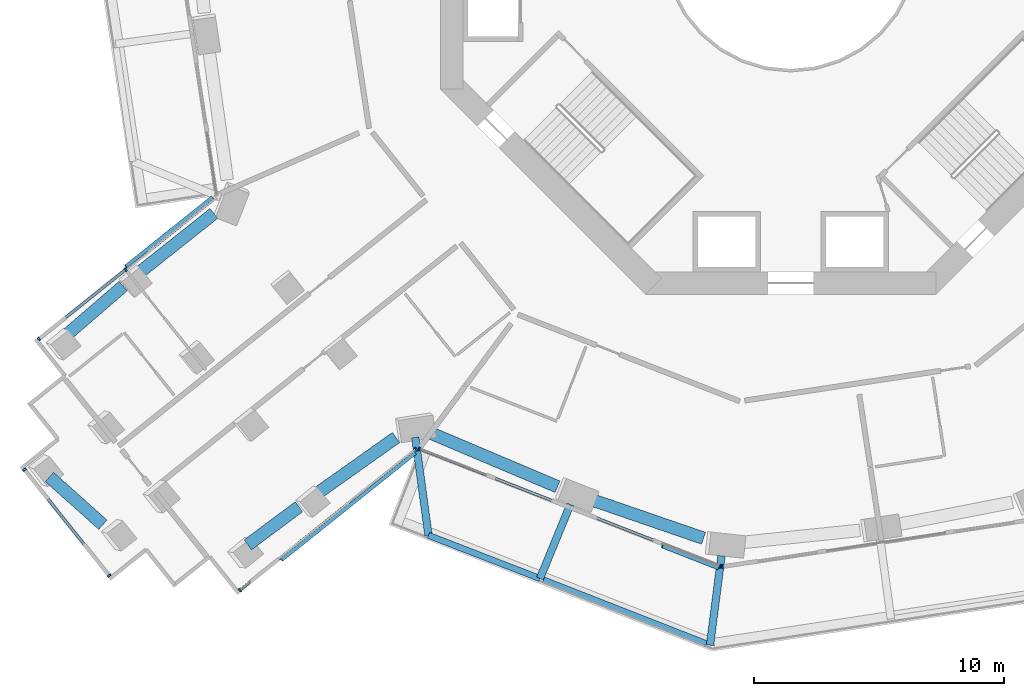
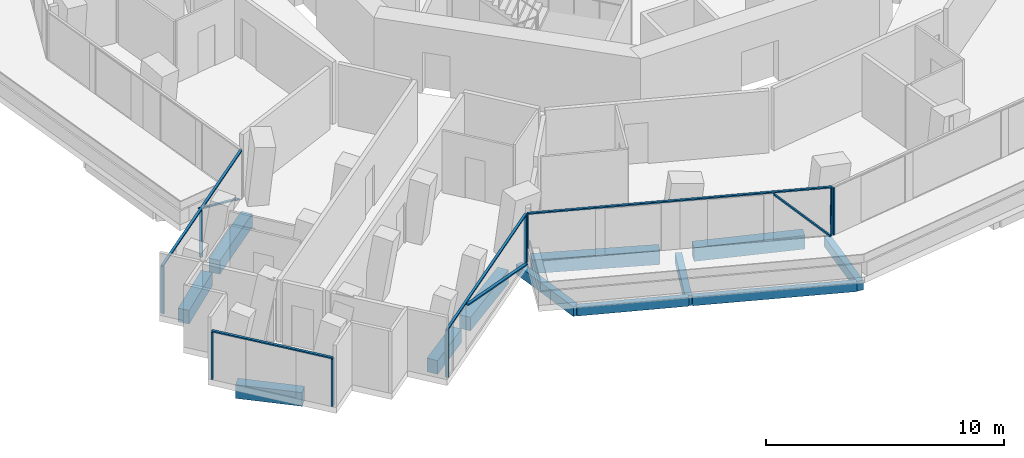
# One storey, part 2 of 28: 16 members, 12 beams, 5 elements without a shape of their own.
"""IFC4 building model written with IfcOpenShell, lengths in metres."""

import ifcopenshell
import ifcopenshell.guid

model = None  # the IFC model being written
_history = None  # IfcOwnerHistory: only IFC2X3 demands one
_inside = {}  # id of a spatial element -> (the spatial element, [elements in it])
_under = {}  # id of a project, library or spatial element -> (it, [spatial elements below it])
_declared = {}  # id of a project -> (the project, [libraries it declares])
_typed = {}  # id of a type object -> (the type object, [elements of that type])
_made_of = {}  # id of a material, layer set ... -> (it, [elements and type objects made of it])


def new_model(schema):
    """Start an empty IFC model of exactly this schema.

    Asked for "IFC4X3", IfcOpenShell would pick the latest addendum, in which some entities
    have other attributes; the version numbers below select the first issue.
    IFC2X3 requires an IfcOwnerHistory on every rooted entity: one is made here for all.
    """
    global model, _history
    if schema == "IFC4X3":
        model = ifcopenshell.file(schema_version=(4, 3, 0, 0))
    else:
        model = ifcopenshell.file(schema=schema)
    _inside.clear()
    _under.clear()
    _declared.clear()
    _typed.clear()
    _made_of.clear()
    _history = None
    if model.schema == "IFC2X3":
        org = make("IfcOrganization", Name="unknown")
        user = make(
            "IfcPersonAndOrganization",
            ThePerson=make("IfcPerson", FamilyName="unknown"),
            TheOrganization=org,
        )
        app = make(
            "IfcApplication",
            ApplicationDeveloper=org,
            Version="unknown",
            ApplicationFullName="unknown",
            ApplicationIdentifier="unknown",
        )
        _history = make(
            "IfcOwnerHistory",
            OwningUser=user,
            OwningApplication=app,
            ChangeAction="ADDED",
            CreationDate=0,
        )
    return model


def make(cls, **values):
    """One entity of the class cls with the attributes given. An attribute that is None is left unset."""
    return model.create_entity(
        cls, **{name: value for name, value in values.items() if value is not None}
    )


def rooted(cls, **values):
    """An entity with a GlobalId (a new one), such as an element, a storey or a relation."""
    return make(cls, GlobalId=ifcopenshell.guid.new(), OwnerHistory=_history, **values)


def si_unit(unit_type, name, prefix=None):
    """IfcSIUnit, for example si_unit("LENGTHUNIT", "METRE", prefix="MILLI")."""
    return make("IfcSIUnit", UnitType=unit_type, Prefix=prefix, Name=name)


def assignment(units):
    """IfcUnitAssignment: the units of a project."""
    return None if units is None else make("IfcUnitAssignment", Units=units)


def point(xyz):
    """IfcCartesianPoint."""
    return None if xyz is None else make("IfcCartesianPoint", Coordinates=xyz)


def direction(xyz):
    """IfcDirection."""
    return None if xyz is None else make("IfcDirection", DirectionRatios=xyz)


def frame(location, z_axis=None, x_axis=None):
    """IfcAxis2Placement3D, a coordinate frame: its origin and axes. An axis left out is left unset."""
    return make(
        "IfcAxis2Placement3D",
        Location=point(location),
        Axis=direction(z_axis),
        RefDirection=direction(x_axis),
    )


def frame_2d(location, x_axis=None):
    """IfcAxis2Placement2D, a coordinate frame in the plane: its origin and x axis."""
    return make(
        "IfcAxis2Placement2D", Location=point(location), RefDirection=direction(x_axis)
    )


def origin():
    """The frame at (0, 0, 0) with its axes left unset."""
    return frame((0.0, 0.0, 0.0))


def origin_2d():
    """The frame at (0, 0) in the plane with its x axis left unset."""
    return frame_2d((0.0, 0.0))


def place(relative_to, where):
    """IfcLocalPlacement: puts the frame where relative to a parent placement (None: the world)."""
    return make(
        "IfcLocalPlacement", PlacementRelTo=relative_to, RelativePlacement=where
    )


def context(
    kind, dimensions, precision=None, world=None, true_north=None, identifier=None
):
    """IfcGeometricRepresentationContext, for example the 3D "Model" context."""
    return make(
        "IfcGeometricRepresentationContext",
        ContextIdentifier=identifier,
        ContextType=kind,
        CoordinateSpaceDimension=dimensions,
        Precision=precision,
        WorldCoordinateSystem=world,
        TrueNorth=true_north,
    )


def subcontext(parent, identifier, kind, view, scale=None):
    """IfcGeometricRepresentationSubContext, for example "Body" below "Model"."""
    return make(
        "IfcGeometricRepresentationSubContext",
        ContextIdentifier=identifier,
        ContextType=kind,
        ParentContext=parent,
        TargetScale=scale,
        TargetView=view,
    )


def project(units=None, contexts=None):
    """IfcProject with its units and contexts."""
    return rooted(
        "IfcProject",
        Name="project",
        RepresentationContexts=contexts,
        UnitsInContext=assignment(units),
    )


def spatial(cls, under=None, at=None, **own):
    """A site, building, storey or space (cls), placed at a placement, below another one or the project."""
    s = rooted(cls, ObjectPlacement=at, **own)
    if under is not None:
        _under.setdefault(under.id(), (under, []))[1].append(s)
    return s


def profile(cls, at=None, kind="AREA", **sizes):
    """A parametric profile (cls). Its sizes go by their IFC names, for example OverallWidth=200.0."""
    return make(cls, ProfileType=kind, Position=at, **sizes)


def rectangle(**sizes):
    """IfcRectangleProfileDef."""
    return profile("IfcRectangleProfileDef", **sizes)


def extrude(swept, where, along, depth):
    """IfcExtrudedAreaSolid: the profile swept, set in the frame where, extruded along a direction by depth."""
    return make(
        "IfcExtrudedAreaSolid",
        SweptArea=swept,
        Position=where,
        ExtrudedDirection=direction(along),
        Depth=depth,
    )


def shape(context_of_items, identifier, shape_type, items):
    """IfcShapeRepresentation: the items that make up one representation, for example the "Body"."""
    return make(
        "IfcShapeRepresentation",
        ContextOfItems=context_of_items,
        RepresentationIdentifier=identifier,
        RepresentationType=shape_type,
        Items=items,
    )


def material(Name=None, Category=None):
    """IfcMaterial."""
    return make("IfcMaterial", Name=Name, Category=Category)


def layer(
    of_material, thickness, ventilated=None, Name=None, Category=None, Priority=None
):
    """IfcMaterialLayer: one layer of a wall or slab, of a material (None: an air gap)."""
    return make(
        "IfcMaterialLayer",
        Material=of_material,
        LayerThickness=thickness,
        IsVentilated=ventilated,
        Name=Name,
        Category=Category,
        Priority=Priority,
    )


def layer_set(layers, Name=None):
    """IfcMaterialLayerSet."""
    return make("IfcMaterialLayerSet", MaterialLayers=layers, LayerSetName=Name)


def material_profile(
    of_material, cross_section, Name=None, Category=None, Priority=None
):
    """IfcMaterialProfile: a cross section and its material."""
    return make(
        "IfcMaterialProfile",
        Name=Name,
        Material=of_material,
        Profile=cross_section,
        Priority=Priority,
        Category=Category,
    )


def profile_set(profiles, Name=None, composite=None):
    """IfcMaterialProfileSet."""
    return make(
        "IfcMaterialProfileSet",
        Name=Name,
        MaterialProfiles=profiles,
        CompositeProfile=composite,
    )


def made_of(thing, what):
    """Note that an element or type object is made of a material, layer set ...; save() writes the relation."""
    if what is not None:
        _made_of.setdefault(what.id(), (what, []))[1].append(thing)
    return thing


def type_object(cls, material=None, **own):
    """A type object (cls), such as IfcWallType, which elements share."""
    return made_of(rooted(cls, **own), material)


def element(
    cls,
    number,
    at=None,
    inside=None,
    cuts=None,
    type_object=None,
    material=None,
    context=None,
    identifier="Body",
    shape_type=None,
    held_by="IfcProductDefinitionShape",
    body=None,
    shapes=None,
    **own,
):
    """One element of the class cls, such as IfcWall. Its Tag is "e" and its number.

    at: its placement. inside: the storey or other place that contains it. cuts: it is an
    opening in that element (IfcRelVoidsElement). A single representation is given by context,
    identifier, shape_type and body (its items); several are given by shapes. held_by: the class
    of the entity that holds the representations. save() writes the other relations.
    """
    e = rooted(cls, Tag="e%d" % number, ObjectPlacement=at, **own)
    if body is not None:
        shapes = [shape(context, identifier, shape_type, body)]
    if shapes is not None:
        e.Representation = make(held_by, Representations=shapes)
    if inside is not None:
        _inside.setdefault(inside.id(), (inside, []))[1].append(e)
    if cuts is not None:
        rooted(
            "IfcRelVoidsElement", RelatingBuildingElement=cuts, RelatedOpeningElement=e
        )
    if type_object is not None:
        _typed.setdefault(type_object.id(), (type_object, []))[1].append(e)
    return made_of(e, material)


def aggregate(whole, parts):
    """IfcRelAggregates: a whole, such as a stair, and the parts it consists of."""
    return rooted("IfcRelAggregates", RelatingObject=whole, RelatedObjects=parts)


def save(model, path):
    """Write the relations noted so far, then the file.

    IfcRelAggregates (storeys below a building ...), IfcRelContainedInSpatialStructure (elements
    in a storey), IfcRelDefinesByType, IfcRelAssociatesMaterial and IfcRelDeclares: one each for
    every whole, place, type object, material and project.
    """
    for whole, parts in _under.values():
        aggregate(whole, parts)
    for where, things in _inside.values():
        rooted(
            "IfcRelContainedInSpatialStructure",
            RelatedElements=things,
            RelatingStructure=where,
        )
    for kind, things in _typed.values():
        rooted("IfcRelDefinesByType", RelatedObjects=things, RelatingType=kind)
    for what, things in _made_of.values():
        rooted("IfcRelAssociatesMaterial", RelatedObjects=things, RelatingMaterial=what)
    for by, libraries in _declared.values():
        rooted("IfcRelDeclares", RelatingContext=by, RelatedDefinitions=libraries)
    model.write(path)


model = new_model("IFC4")

# Units and contexts
model_context = context("Model", 3, precision=1e-05, world=origin(), true_north=direction((0.0, 1.0)))
body_context = subcontext(model_context, "Body", "Model", "MODEL_VIEW")
ifc_project = project(units=[si_unit("LENGTHUNIT", "METRE"), si_unit("AREAUNIT", "SQUARE_METRE"), si_unit("VOLUMEUNIT", "CUBIC_METRE"), si_unit("PLANEANGLEUNIT", "RADIAN"), si_unit("MASSUNIT", "GRAM", prefix="KILO")], contexts=[model_context])

# Site, building, storey
site_placement = place(None, origin())
site = spatial("IfcSite", under=ifc_project, at=site_placement, CompositionType="ELEMENT")
building_placement = place(site_placement, origin())
building = spatial("IfcBuilding", under=site, at=building_placement, Name="Verdalira Terraces Hotel", CompositionType="ELEMENT")
storey_placement = place(building_placement, frame((0.0, 0.0, 68.0)))
storey = spatial("IfcBuildingStorey", under=building, at=storey_placement, Name="L15", CompositionType="ELEMENT", Elevation=68.0)

# Beams
ifc_material_1 = material(Name="Concrete C40", Category="concrete")
ifc_material_profile_1 = material_profile(ifc_material_1, rectangle(XDim=0.300049, YDim=0.5, at=origin_2d()), Name="RC 300X500")
ifc_profile_set_1 = profile_set([ifc_material_profile_1], Name="Concrete C40")
beam_type_1 = type_object("IfcBeamType", Name="Balcony cantilever beam RC 300X500 C40", PredefinedType="BEAM", material=ifc_profile_set_1)
beam_1_placement = place(storey_placement, frame((-14.999512, -19.711914, -0.560059), z_axis=(0.133629157, -0.991031406, 0.0), x_axis=(0.991031406, 0.133629157, 0.0)))
element("IfcBeam", 1, at=beam_1_placement, inside=storey, type_object=beam_type_1, Name="Balcony cantilever beam R25-3", PredefinedType="BEAM", context=body_context, shape_type="SweptSolid", body=[
    extrude(rectangle(XDim=0.300049, YDim=0.5, at=origin_2d()), origin(), (0.0, 0.0, 1.0), 3.949951),
])
beam_2_placement = place(storey_placement, frame((-8.802246, -22.389893, -0.560059), z_axis=(-0.379752197, -0.925088249, 0.0), x_axis=(0.925088249, -0.379752197, 0.0)))
element("IfcBeam", 2, at=beam_2_placement, inside=storey, type_object=beam_type_1, Name="Balcony cantilever beam R25-4", PredefinedType="BEAM", context=body_context, shape_type="SweptSolid", body=[
    extrude(rectangle(XDim=0.300049, YDim=0.5, at=origin_2d()), origin(), (0.0, 0.0, 1.0), 3.200928),
])
beam_3_placement = place(storey_placement, frame((-2.768311, -24.44458, -0.560059), z_axis=(-0.127433057, -0.991847174, 0.0), x_axis=(0.991847174, -0.127433057, 0.0)))
element("IfcBeam", 3, at=beam_3_placement, inside=storey, type_object=beam_type_1, Name="Balcony cantilever beam R25-5", PredefinedType="BEAM", context=body_context, shape_type="SweptSolid", body=[
    extrude(rectangle(XDim=0.300049, YDim=0.5, at=origin_2d()), origin(), (0.0, 0.0, 1.0), 3.5979),
])
ifc_material_2 = material(Name="Concrete C40", Category="concrete")
ifc_material_profile_2 = material_profile(ifc_material_2, rectangle(XDim=0.25, YDim=0.449951, at=origin_2d()), Name="RC 250X450")
ifc_profile_set_2 = profile_set([ifc_material_profile_2], Name="Concrete C40")
beam_type_2 = type_object("IfcBeamType", Name="Balcony edge beam RC 250X450 C40", PredefinedType="BEAM", material=ifc_profile_set_2)
beam_4_placement = place(storey_placement, frame((-14.47168, -23.626465, -0.534912), z_axis=(0.932530345, -0.361091616, 0.0), x_axis=(0.361091616, 0.932530345, 0.0)))
element("IfcBeam", 4, at=beam_4_placement, inside=storey, type_object=beam_type_2, Name="Balcony edge beam R25-2", PredefinedType="BEAM", context=body_context, shape_type="SweptSolid", body=[
    extrude(rectangle(XDim=0.25, YDim=0.449951, at=origin_2d()), origin(), (0.0, 0.0, 1.0), 4.776123),
])
beam_5_placement = place(storey_placement, frame((-9.878174, -25.405762, -0.534912), z_axis=(0.931019979, -0.364968215, 0.0), x_axis=(0.364968215, 0.931019979, 0.0)))
element("IfcBeam", 5, at=beam_5_placement, inside=storey, type_object=beam_type_2, Name="Balcony edge beam R25-3", PredefinedType="BEAM", context=body_context, shape_type="SweptSolid", body=[
    extrude(rectangle(XDim=0.25, YDim=0.449951, at=origin_2d()), origin(), (0.0, 0.0, 1.0), 6.989746),
])

# Curtain wall, members
ifc_material_3 = material(Name="Clear glass", Category="glass")
ifc_layer_1 = layer(ifc_material_3, 0.14990234375)
ifc_layer_set_1 = layer_set([ifc_layer_1], Name="CW1 curtain wall")
curtain_wall_type_1 = type_object("IfcCurtainWallType", Name="CW1 curtain wall", PredefinedType="NOTDEFINED", material=ifc_layer_set_1)
curtain_wall_1_placement = place(storey_placement, origin())
curtain_wall_1 = element("IfcCurtainWall", 6, at=curtain_wall_1_placement, inside=storey, type_object=curtain_wall_type_1, Name="CW1 curtain wall L15 edge 25", PredefinedType="NOTDEFINED")
ifc_material_4 = material(Name="Terracotta frame", Category="masonry")
ifc_material_profile_3 = material_profile(ifc_material_4, rectangle(XDim=0.060059, YDim=0.149902, at=origin_2d()), Name="MU 60x150")
ifc_profile_set_3 = profile_set([ifc_material_profile_3], Name="Terracotta frame")
member_type_1 = type_object("IfcMemberType", Name="CW1 mullion 60x150", PredefinedType="MULLION", material=ifc_profile_set_3)
member_1_placement = place(storey_placement, frame((-14.83374, -20.165527, 0.0), z_axis=(0.0, 0.0, 1.0), x_axis=(0.931310321, -0.364226696, 0.0)))
member_1 = element("IfcMember", 7, at=member_1_placement, type_object=member_type_1, Name="CW1 mullion", PredefinedType="MULLION", context=body_context, shape_type="SweptSolid", body=[
    extrude(rectangle(XDim=0.060059, YDim=0.149902, at=origin_2d()), origin(), (0.0, 0.0, 1.0), 2.425049),
])
member_2_placement = place(storey_placement, frame((-2.820068, -24.864014, 0.0), z_axis=(0.0, 0.0, 1.0), x_axis=(0.931310321, -0.364226696, 0.0)))
member_2 = element("IfcMember", 8, at=member_2_placement, type_object=member_type_1, Name="CW1 mullion", PredefinedType="MULLION", context=body_context, shape_type="SweptSolid", body=[
    extrude(rectangle(XDim=0.060059, YDim=0.149902, at=origin_2d()), origin(), (0.0, 0.0, 1.0), 2.425049),
])

# Curtain wall, member
curtain_wall_2_placement = place(storey_placement, origin())
curtain_wall_2 = element("IfcCurtainWall", 9, at=curtain_wall_2_placement, inside=storey, type_object=curtain_wall_type_1, Name="CW1 curtain wall L15 edge 26", PredefinedType="NOTDEFINED")
member_3_placement = place(storey_placement, frame((-2.723877, -24.874756, 0.0), z_axis=(0.0, 0.0, 1.0), x_axis=(0.988651745, 0.150225589, 0.0)))
member_3 = element("IfcMember", 10, at=member_3_placement, type_object=member_type_1, Name="CW1 mullion", PredefinedType="MULLION", context=body_context, shape_type="SweptSolid", body=[
    extrude(rectangle(XDim=0.060059, YDim=0.149902, at=origin_2d()), origin(), (0.0, 0.0, 1.0), 2.425049),
])
aggregate(curtain_wall_2, [member_3])

# Member
ifc_material_5 = material(Name="Terracotta frame", Category="masonry")
ifc_material_profile_4 = material_profile(ifc_material_5, rectangle(XDim=0.110107, YDim=0.064941, at=origin_2d()), Name="TR 65x110")
ifc_profile_set_4 = profile_set([ifc_material_profile_4], Name="Terracotta frame")
member_type_2 = type_object("IfcMemberType", Name="CW1 transom 65x110", PredefinedType="USERDEFINED", material=ifc_profile_set_4)
member_4_placement = place(storey_placement, frame((-14.861816, -20.154785, 2.45752), z_axis=(0.931312526, -0.364221057, 0.0), x_axis=(0.364221057, 0.931312526, 0.0)))
member_4 = element("IfcMember", 11, at=member_4_placement, type_object=member_type_2, Name="CW1 transom", ObjectType="TRANSOM", PredefinedType="USERDEFINED", context=body_context, shape_type="SweptSolid", body=[
    extrude(rectangle(XDim=0.110107, YDim=0.064941, at=origin_2d()), origin(), (0.0, 0.0, 1.0), 12.959717),
])

# Curtain wall, members
ifc_material_6 = material(Name="Clear glass", Category="glass")
ifc_layer_2 = layer(ifc_material_6, 0.14990234375)
ifc_layer_set_2 = layer_set([ifc_layer_2], Name="CW2 curtain wall")
curtain_wall_type_2 = type_object("IfcCurtainWallType", Name="CW2 curtain wall", PredefinedType="NOTDEFINED", material=ifc_layer_set_2)
curtain_wall_3_placement = place(storey_placement, origin())
curtain_wall_3 = element("IfcCurtainWall", 12, at=curtain_wall_3_placement, inside=storey, type_object=curtain_wall_type_2, Name="CW2 curtain wall L15 edge 14", PredefinedType="NOTDEFINED")
ifc_material_7 = material(Name="Terracotta frame", Category="masonry")
ifc_material_profile_5 = material_profile(ifc_material_7, rectangle(XDim=0.070068, YDim=0.149902, at=origin_2d()), Name="MU 70x150")
ifc_profile_set_5 = profile_set([ifc_material_profile_5], Name="Terracotta frame")
member_type_3 = type_object("IfcMemberType", Name="CW2 mullion 70x150", PredefinedType="MULLION", material=ifc_profile_set_5)
member_5_placement = place(storey_placement, frame((-26.567627, -13.013184, 0.0), z_axis=(0.0, 0.0, 1.0), x_axis=(-0.781084732, -0.624425049, 0.0)))
member_5 = element("IfcMember", 13, at=member_5_placement, type_object=member_type_3, Name="CW2 mullion", PredefinedType="MULLION", context=body_context, shape_type="SweptSolid", body=[
    extrude(rectangle(XDim=0.070068, YDim=0.149902, at=origin_2d()), origin(), (0.0, 0.0, 1.0), 2.425049),
])
member_6_placement = place(storey_placement, frame((-30.030762, -15.781982, 0.0), z_axis=(0.0, 0.0, 1.0), x_axis=(-0.781084732, -0.624425049, 0.0)))
member_6 = element("IfcMember", 14, at=member_6_placement, type_object=member_type_3, Name="CW2 mullion", PredefinedType="MULLION", context=body_context, shape_type="SweptSolid", body=[
    extrude(rectangle(XDim=0.070068, YDim=0.149902, at=origin_2d()), origin(), (0.0, 0.0, 1.0), 2.425049),
])

curtain_wall_4_placement = place(storey_placement, origin())
curtain_wall_4 = element("IfcCurtainWall", 15, at=curtain_wall_4_placement, inside=storey, type_object=curtain_wall_type_2, Name="CW2 curtain wall L15 edge 24", PredefinedType="NOTDEFINED")
member_7_placement = place(storey_placement, frame((-22.006836, -25.818848, 0.0), z_axis=(0.0, 0.0, 1.0), x_axis=(0.781084732, 0.624425049, 0.0)))
member_7 = element("IfcMember", 16, at=member_7_placement, type_object=member_type_3, Name="CW2 mullion", PredefinedType="MULLION", context=body_context, shape_type="SweptSolid", body=[
    extrude(rectangle(XDim=0.070068, YDim=0.149902, at=origin_2d()), origin(), (0.0, 0.0, 1.0), 2.425049),
])
member_8_placement = place(storey_placement, frame((-14.963135, -20.187744, 0.0), z_axis=(0.0, 0.0, 1.0), x_axis=(0.781084732, 0.624425049, 0.0)))
member_8 = element("IfcMember", 17, at=member_8_placement, type_object=member_type_3, Name="CW2 mullion", PredefinedType="MULLION", context=body_context, shape_type="SweptSolid", body=[
    extrude(rectangle(XDim=0.070068, YDim=0.149902, at=origin_2d()), origin(), (0.0, 0.0, 1.0), 2.425049),
])

# Member
ifc_material_8 = material(Name="Terracotta frame", Category="masonry")
ifc_material_profile_6 = material_profile(ifc_material_8, rectangle(XDim=0.11499, YDim=0.064941, at=origin_2d()), Name="TR 65x115")
ifc_profile_set_6 = profile_set([ifc_material_profile_6], Name="Terracotta frame")
member_type_4 = type_object("IfcMemberType", Name="CW2 transom 65x115", PredefinedType="USERDEFINED", material=ifc_profile_set_6)
member_9_placement = place(storey_placement, frame((-22.959717, -10.12915, 2.45752), z_axis=(-0.78109154, -0.624416532, 0.0), x_axis=(0.624416532, -0.78109154, 0.0)))
member_9 = element("IfcMember", 18, at=member_9_placement, type_object=member_type_4, Name="CW2 transom", ObjectType="TRANSOM", PredefinedType="USERDEFINED", context=body_context, shape_type="SweptSolid", body=[
    extrude(rectangle(XDim=0.11499, YDim=0.064941, at=origin_2d()), origin(), (0.0, 0.0, 1.0), 9.087891),
])

member_10_placement = place(storey_placement, frame((-22.03418, -25.840576, 2.45752), z_axis=(0.78109154, 0.624416532, 0.0), x_axis=(-0.624416532, 0.78109154, 0.0)))
member_10 = element("IfcMember", 19, at=member_10_placement, type_object=member_type_4, Name="CW2 transom", ObjectType="TRANSOM", PredefinedType="USERDEFINED", context=body_context, shape_type="SweptSolid", body=[
    extrude(rectangle(XDim=0.11499, YDim=0.064941, at=origin_2d()), origin(), (0.0, 0.0, 1.0), 9.087891),
])

# Curtain wall, members
ifc_material_9 = material(Name="Clear glass", Category="glass")
ifc_layer_3 = layer(ifc_material_9, 0.14990234375)
ifc_layer_set_3 = layer_set([ifc_layer_3], Name="CW3 curtain wall")
curtain_wall_type_3 = type_object("IfcCurtainWallType", Name="CW3 curtain wall", PredefinedType="NOTDEFINED", material=ifc_layer_set_3)
curtain_wall_5_placement = place(storey_placement, origin())
curtain_wall_5 = element("IfcCurtainWall", 20, at=curtain_wall_5_placement, inside=storey, type_object=curtain_wall_type_3, Name="CW3 curtain wall L15 edge 19", PredefinedType="NOTDEFINED")
ifc_material_10 = material(Name="Terracotta frame", Category="masonry")
ifc_material_profile_7 = material_profile(ifc_material_10, rectangle(XDim=0.080078, YDim=0.149902, at=origin_2d()), Name="MU 80x150")
ifc_profile_set_7 = profile_set([ifc_material_profile_7], Name="Terracotta frame")
member_type_5 = type_object("IfcMemberType", Name="CW3 mullion 80x150", PredefinedType="MULLION", material=ifc_profile_set_7)
member_11_placement = place(storey_placement, frame((-30.608887, -21.000244, 0.0), z_axis=(0.0, 0.0, 1.0), x_axis=(0.624425049, -0.781084732, 0.0)))
member_11 = element("IfcMember", 21, at=member_11_placement, type_object=member_type_5, Name="CW3 mullion", PredefinedType="MULLION", context=body_context, shape_type="SweptSolid", body=[
    extrude(rectangle(XDim=0.080078, YDim=0.149902, at=origin_2d()), origin(), (0.0, 0.0, 1.0), 2.425049),
])
member_12_placement = place(storey_placement, frame((-27.224609, -25.233643, 0.0), z_axis=(0.0, 0.0, 1.0), x_axis=(0.624425049, -0.781084732, 0.0)))
member_12 = element("IfcMember", 22, at=member_12_placement, type_object=member_type_5, Name="CW3 mullion", PredefinedType="MULLION", context=body_context, shape_type="SweptSolid", body=[
    extrude(rectangle(XDim=0.080078, YDim=0.149902, at=origin_2d()), origin(), (0.0, 0.0, 1.0), 2.425049),
])
ifc_material_11 = material(Name="Terracotta frame", Category="masonry")
ifc_material_profile_8 = material_profile(ifc_material_11, rectangle(XDim=0.120117, YDim=0.064941, at=origin_2d()), Name="TR 65x120")
ifc_profile_set_8 = profile_set([ifc_material_profile_8], Name="Terracotta frame")
member_type_6 = type_object("IfcMemberType", Name="CW3 transom 65x120", PredefinedType="USERDEFINED", material=ifc_profile_set_8)
member_13_placement = place(storey_placement, frame((-30.633789, -20.968994, 2.45752), z_axis=(0.624429756, -0.781080969, 0.0), x_axis=(0.781080969, 0.624429756, 0.0)))
member_13 = element("IfcMember", 23, at=member_13_placement, type_object=member_type_6, Name="CW3 transom", ObjectType="TRANSOM", PredefinedType="USERDEFINED", context=body_context, shape_type="SweptSolid", body=[
    extrude(rectangle(XDim=0.120117, YDim=0.064941, at=origin_2d()), origin(), (0.0, 0.0, 1.0), 5.5),
])
aggregate(curtain_wall_5, [member_11, member_12, member_13])

# Member
ifc_material_12 = material(Name="Terracotta frame", Category="masonry")
ifc_material_profile_9 = material_profile(ifc_material_12, rectangle(XDim=0.149902, YDim=0.060059, at=origin_2d()), Name="GB 60x150")
ifc_profile_set_9 = profile_set([ifc_material_profile_9], Name="Terracotta frame")
member_type_7 = type_object("IfcMemberType", Name="Diagonal glazing bar 60x150", PredefinedType="USERDEFINED", material=ifc_profile_set_9)
member_14_placement = place(storey_placement, frame((-23.111084, -10.133545, 0.027344), z_axis=(-0.688064752, -0.550061825, 0.473285206), x_axis=(0.624425073, -0.781084713, 0.0)))
member_14 = element("IfcMember", 24, at=member_14_placement, type_object=member_type_7, Name="Diagonal glazing bar", ObjectType="GLAZING BAR", PredefinedType="USERDEFINED", context=body_context, shape_type="SweptSolid", body=[
    extrude(rectangle(XDim=0.149902, YDim=0.060059, at=origin_2d()), origin(), (0.0, 0.0, 1.0), 5.008301),
])

aggregate(curtain_wall_3, [member_5, member_6, member_9, member_14])

member_15_placement = place(storey_placement, frame((-20.337402, -24.600586, 2.395996), z_axis=(0.738082417, 0.590033872, -0.327252769), x_axis=(-0.624416204, 0.781091803, 0.0)))
member_15 = element("IfcMember", 25, at=member_15_placement, type_object=member_type_7, Name="Diagonal glazing bar", ObjectType="GLAZING BAR", PredefinedType="USERDEFINED", context=body_context, shape_type="SweptSolid", body=[
    extrude(rectangle(XDim=0.149902, YDim=0.060059, at=origin_2d()), origin(), (0.0, 0.0, 1.0), 7.232666),
])

aggregate(curtain_wall_4, [member_7, member_8, member_10, member_15])

member_16_placement = place(storey_placement, frame((-5.130859, -24.055908, 2.402344), z_axis=(0.66046915, -0.258299785, -0.705026044), x_axis=(0.36422244, 0.931311985, 0.0)))
member_16 = element("IfcMember", 26, at=member_16_placement, type_object=member_type_7, Name="Diagonal glazing bar", ObjectType="GLAZING BAR", PredefinedType="USERDEFINED", context=body_context, shape_type="SweptSolid", body=[
    extrude(rectangle(XDim=0.149902, YDim=0.060059, at=origin_2d()), origin(), (0.0, 0.0, 1.0), 3.375244),
])

aggregate(curtain_wall_1, [member_1, member_2, member_4, member_16])

# Beams
ifc_material_13 = material(Name="Concrete C70", Category="concrete")
ifc_material_profile_10 = material_profile(ifc_material_13, rectangle(XDim=0.5, YDim=0.699951, at=origin_2d()), Name="RC 500X700")
ifc_profile_set_10 = profile_set([ifc_material_profile_10], Name="Concrete C70")
beam_type_3 = type_object("IfcBeamType", Name="Spandrel beam RC 500X700 C70", PredefinedType="SPANDREL", material=ifc_profile_set_10)
beam_6_placement = place(storey_placement, frame((-23.043701, -10.768311, -0.659912), z_axis=(-0.783120259, -0.621870292, 0.0), x_axis=(0.621870292, -0.783120259, 0.0)))
element("IfcBeam", 27, at=beam_6_placement, inside=storey, type_object=beam_type_3, Name="Spandrel beam B14", PredefinedType="SPANDREL", context=body_context, shape_type="SweptSolid", body=[
    extrude(rectangle(XDim=0.5, YDim=0.699951, at=origin_2d()), origin(), (0.0, 0.0, 1.0), 3.715576),
])
beam_7_placement = place(storey_placement, frame((-26.666504, -13.669922, -0.659912), z_axis=(-0.756954846, -0.653467184, 0.0), x_axis=(0.653467184, -0.756954846, 0.0)))
element("IfcBeam", 28, at=beam_7_placement, inside=storey, type_object=beam_type_3, Name="Spandrel beam B15", PredefinedType="SPANDREL", context=body_context, shape_type="SweptSolid", body=[
    extrude(rectangle(XDim=0.5, YDim=0.699951, at=origin_2d()), origin(), (0.0, 0.0, 1.0), 2.956055),
])
beam_8_placement = place(storey_placement, frame((-29.61084, -21.293213, -0.659912), z_axis=(0.745620067, -0.666371305, 0.0), x_axis=(0.666371305, 0.745620067, 0.0)))
element("IfcBeam", 29, at=beam_8_placement, inside=storey, type_object=beam_type_3, Name="Spandrel beam B16", PredefinedType="SPANDREL", context=body_context, shape_type="SweptSolid", body=[
    extrude(rectangle(XDim=0.5, YDim=0.699951, at=origin_2d()), origin(), (0.0, 0.0, 1.0), 2.86499),
])
beam_9_placement = place(storey_placement, frame((-21.684814, -24.007324, -0.659912), z_axis=(0.800851285, 0.598863272, 0.0), x_axis=(-0.598863272, 0.800851285, 0.0)))
element("IfcBeam", 30, at=beam_9_placement, inside=storey, type_object=beam_type_3, Name="Spandrel beam B17", PredefinedType="SPANDREL", context=body_context, shape_type="SweptSolid", body=[
    extrude(rectangle(XDim=0.5, YDim=0.699951, at=origin_2d()), origin(), (0.0, 0.0, 1.0), 2.544189),
])
beam_10_placement = place(storey_placement, frame((-18.901855, -21.940918, -0.659912), z_axis=(0.815849563, 0.578264204, 0.0), x_axis=(-0.578264204, 0.815849563, 0.0)))
element("IfcBeam", 31, at=beam_10_placement, inside=storey, type_object=beam_type_3, Name="Spandrel beam B18", PredefinedType="SPANDREL", context=body_context, shape_type="SweptSolid", body=[
    extrude(rectangle(XDim=0.5, YDim=0.699951, at=origin_2d()), origin(), (0.0, 0.0, 1.0), 3.841064),
])
beam_11_placement = place(storey_placement, frame((-14.325928, -19.564453, -0.659912), z_axis=(0.920932553, -0.389721994, 0.0), x_axis=(0.389721994, 0.920932553, 0.0)))
element("IfcBeam", 32, at=beam_11_placement, inside=storey, type_object=beam_type_3, Name="Spandrel beam B19", PredefinedType="SPANDREL", context=body_context, shape_type="SweptSolid", body=[
    extrude(rectangle(XDim=0.5, YDim=0.699951, at=origin_2d()), origin(), (0.0, 0.0, 1.0), 5.438721),
])
beam_12_placement = place(storey_placement, frame((-7.982422, -22.19458, -0.659912), z_axis=(0.945653056, -0.325177332, 0.0), x_axis=(0.325177332, 0.945653056, 0.0)))
element("IfcBeam", 33, at=beam_12_placement, inside=storey, type_object=beam_type_3, Name="Spandrel beam B20", PredefinedType="SPANDREL", context=body_context, shape_type="SweptSolid", body=[
    extrude(rectangle(XDim=0.5, YDim=0.699951, at=origin_2d()), origin(), (0.0, 0.0, 1.0), 4.755615),
])

save(model, "model.ifc")
